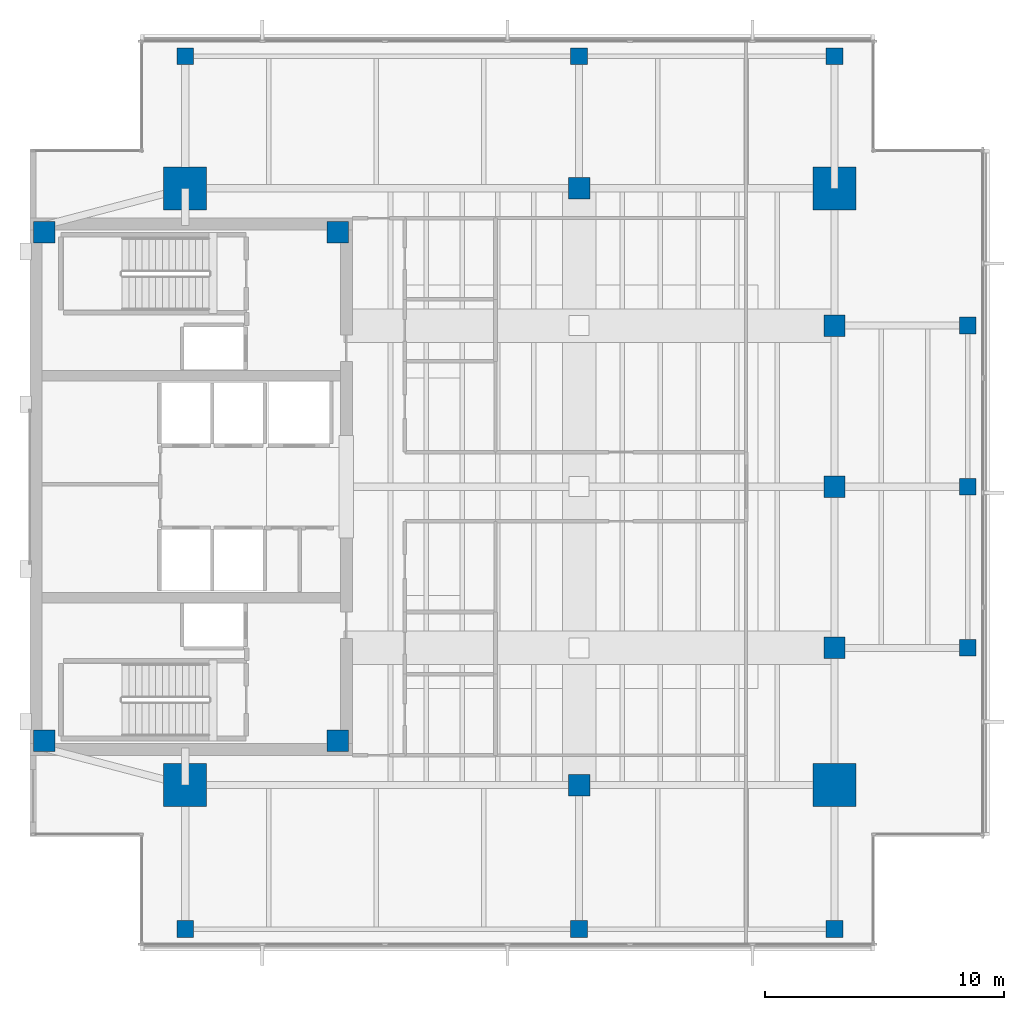
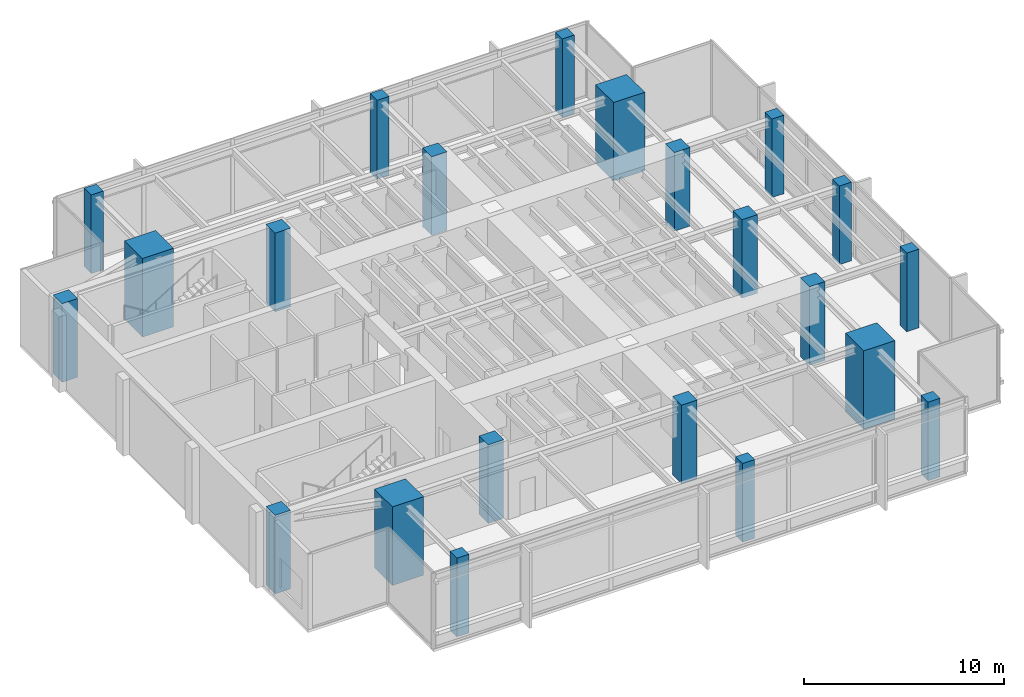
# One storey, part 1 of 14: 22 columns.
"""IFC4 building model written with IfcOpenShell, lengths in metres."""

from ifc_helpers import new_model, si_unit, direction, frame, origin, origin_2d, place, context, subcontext, project, spatial, rectangle, extrude, material, material_profile, profile_set, type_object, element, save


model = new_model("IFC4")

# Units and contexts
model_context = context("Model", 3, precision=1e-05, world=origin(), true_north=direction((0.0, 1.0)))
body_context = subcontext(model_context, "Body", "Model", "MODEL_VIEW")
ifc_project = project(units=[si_unit("LENGTHUNIT", "METRE"), si_unit("AREAUNIT", "SQUARE_METRE"), si_unit("VOLUMEUNIT", "CUBIC_METRE"), si_unit("PLANEANGLEUNIT", "RADIAN"), si_unit("MASSUNIT", "GRAM", prefix="KILO")], contexts=[model_context])

# Site, building, storey
site_placement = place(None, origin())
site = spatial("IfcSite", under=ifc_project, at=site_placement, CompositionType="ELEMENT")
building_placement = place(site_placement, origin())
building = spatial("IfcBuilding", under=site, at=building_placement, Name="Kinhvarn Gate Tower", CompositionType="ELEMENT")
storey_placement = place(building_placement, frame((0.0, 0.0, 291.85009765625)))
storey = spatial("IfcBuildingStorey", under=building, at=storey_placement, Name="L78", CompositionType="ELEMENT", Elevation=291.85009765625)

# Columns
ifc_material_1 = material(Name="Concrete C60/75", Category="concrete")
ifc_material_profile_1 = material_profile(ifc_material_1, rectangle(XDim=1.800048828125, YDim=1.800048828125, at=origin_2d()), Name="RC 1800x1800")
ifc_profile_set_1 = profile_set([ifc_material_profile_1], Name="Concrete C60/75")
column_type_1 = type_object("IfcColumnType", Name="COL-MC-1800", PredefinedType="COLUMN", material=ifc_profile_set_1)
for number, where, z_axis, x_axis, name in (
    (1, (11.0, 12.75, 0.0), (0.0, 0.0, 1.0), (1.0, 0.0, 0.0), "Column MC1-L78 (MC-18)"),
    (2, (11.0, 37.75, 0.0), (0.0, 0.0, 1.0), (1.0, 0.0, 0.0), "Column MC4-L78 (MC-18)"),
    (3, (38.199951171875, 12.75, 0.0), (0.0, 0.0, 1.0), (1.0, 0.0, 0.0), "Column MC2-L78 (MC-18)"),
    (4, (38.199951171875, 37.75, 0.0), (0.0, 0.0, 1.0), (1.0, 0.0, 0.0), "Column MC3-L78 (MC-18)"),
):
    element("IfcColumn", number, at=place(storey_placement, frame(where, z_axis=z_axis, x_axis=x_axis)), inside=storey, type_object=column_type_1, Name=name, PredefinedType="COLUMN", context=body_context, shape_type="SweptSolid", body=[
        extrude(rectangle(XDim=1.800048828125, YDim=1.800048828125, at=origin_2d()), origin(), (0.0, 0.0, 1.0), 4.7998046875),
    ])
ifc_material_2 = material(Name="Concrete C50/60", Category="concrete")
ifc_material_profile_2 = material_profile(ifc_material_2, rectangle(XDim=0.699951171875, YDim=0.699951171875, at=origin_2d()), Name="RC 700x700")
ifc_profile_set_2 = profile_set([ifc_material_profile_2], Name="Concrete C50/60")
column_type_2 = type_object("IfcColumnType", Name="COL-RC-700", PredefinedType="COLUMN", material=ifc_profile_set_2)
for number, where, z_axis, x_axis, name in (
    (5, (43.780029296875, 18.5, 0.0), (0.0, 0.0, 1.0), (1.0, 0.0, 0.0), "Column CE-1-L78 (C-070)"),
    (6, (43.780029296875, 25.25, 0.0), (0.0, 0.0, 1.0), (1.0, 0.0, 0.0), "Column CE-2-L78 (C-070)"),
    (7, (43.780029296875, 32.0, 0.0), (0.0, 0.0, 1.0), (1.0, 0.0, 0.0), "Column CE-3-L78 (C-070)"),
    (8, (11.0, 6.719970703125, 0.0), (0.0, 0.0, 1.0), (1.0, 0.0, 0.0), "Column CS-0-L78 (C-070)"),
    (9, (27.5, 6.719970703125, 0.0), (0.0, 0.0, 1.0), (1.0, 0.0, 0.0), "Column CS-1-L78 (C-070)"),
    (10, (38.199951171875, 6.719970703125, 0.0), (0.0, 0.0, 1.0), (1.0, 0.0, 0.0), "Column CS-2-L78 (C-070)"),
    (11, (11.0, 43.280029296875, 0.0), (0.0, 0.0, 1.0), (1.0, 0.0, 0.0), "Column CN-0-L78 (C-070)"),
    (12, (27.5, 43.280029296875, 0.0), (0.0, 0.0, 1.0), (1.0, 0.0, 0.0), "Column CN-1-L78 (C-070)"),
    (13, (38.199951171875, 43.280029296875, 0.0), (0.0, 0.0, 1.0), (1.0, 0.0, 0.0), "Column CN-2-L78 (C-070)"),
):
    element("IfcColumn", number, at=place(storey_placement, frame(where, z_axis=z_axis, x_axis=x_axis)), inside=storey, type_object=column_type_2, Name=name, PredefinedType="COLUMN", context=body_context, shape_type="SweptSolid", body=[
        extrude(rectangle(XDim=0.699951171875, YDim=0.699951171875, at=origin_2d()), origin(), (0.0, 0.0, 1.0), 4.7998046875),
    ])
ifc_material_profile_3 = material_profile(ifc_material_1, rectangle(XDim=0.89990234375, YDim=0.89990234375, at=origin_2d()), Name="RC 900x900")
ifc_profile_set_3 = profile_set([ifc_material_profile_3], Name="Concrete C60/75")
column_type_3 = type_object("IfcColumnType", Name="COL-RC-900", PredefinedType="COLUMN", material=ifc_profile_set_3)
for number, where, z_axis, x_axis, name in (
    (14, (27.5, 12.75, 0.0), (0.0, 0.0, 1.0), (1.0, 0.0, 0.0), "Column SP27-S-L78 (C-090)"),
    (15, (27.5, 37.75, 0.0), (0.0, 0.0, 1.0), (1.0, 0.0, 0.0), "Column SP27-N-L78 (C-090)"),
    (16, (38.199951171875, 18.5, 0.0), (0.0, 0.0, 1.0), (1.0, 0.0, 0.0), "Column SP38-E1-L78 (C-090)"),
    (17, (38.199951171875, 25.25, 0.0), (0.0, 0.0, 1.0), (1.0, 0.0, 0.0), "Column SP38-E2-L78 (C-090)"),
    (18, (38.199951171875, 32.0, 0.0), (0.0, 0.0, 1.0), (1.0, 0.0, 0.0), "Column SP38-E3-L78 (C-090)"),
):
    element("IfcColumn", number, at=place(storey_placement, frame(where, z_axis=z_axis, x_axis=x_axis)), inside=storey, type_object=column_type_3, Name=name, PredefinedType="COLUMN", context=body_context, shape_type="SweptSolid", body=[
        extrude(rectangle(XDim=0.89990234375, YDim=0.89990234375, at=origin_2d()), origin(), (0.0, 0.0, 1.0), 4.7998046875),
    ])
ifc_material_profile_4 = material_profile(ifc_material_2, rectangle(XDim=0.89990234375, YDim=0.89990234375, at=origin_2d()), Name="RC 900x900")
ifc_profile_set_4 = profile_set([ifc_material_profile_4], Name="Concrete C50/60")
column_type_4 = type_object("IfcColumnType", Name="PIL-RC-900", PredefinedType="PILASTER", material=ifc_profile_set_4)
for number, where, z_axis, x_axis, name in (
    (19, (5.10009765625, 14.60009765625, 0.0), (0.0, 0.0, 1.0), (1.0, 0.0, 0.0), "Column CC-SW-L78 (CP-090)"),
    (20, (5.10009765625, 35.89990234375, 0.0), (0.0, 0.0, 1.0), (1.0, 0.0, 0.0), "Column CC-NW-L78 (CP-090)"),
    (21, (17.39990234375, 14.60009765625, 0.0), (0.0, 0.0, 1.0), (1.0, 0.0, 0.0), "Column CC-SE-L78 (CP-090)"),
    (22, (17.39990234375, 35.89990234375, 0.0), (0.0, 0.0, 1.0), (1.0, 0.0, 0.0), "Column CC-NE-L78 (CP-090)"),
):
    element("IfcColumn", number, at=place(storey_placement, frame(where, z_axis=z_axis, x_axis=x_axis)), inside=storey, type_object=column_type_4, Name=name, PredefinedType="PILASTER", context=body_context, shape_type="SweptSolid", body=[
        extrude(rectangle(XDim=0.89990234375, YDim=0.89990234375, at=origin_2d()), origin(), (0.0, 0.0, 1.0), 4.7998046875),
    ])

save(model, "model.ifc")
